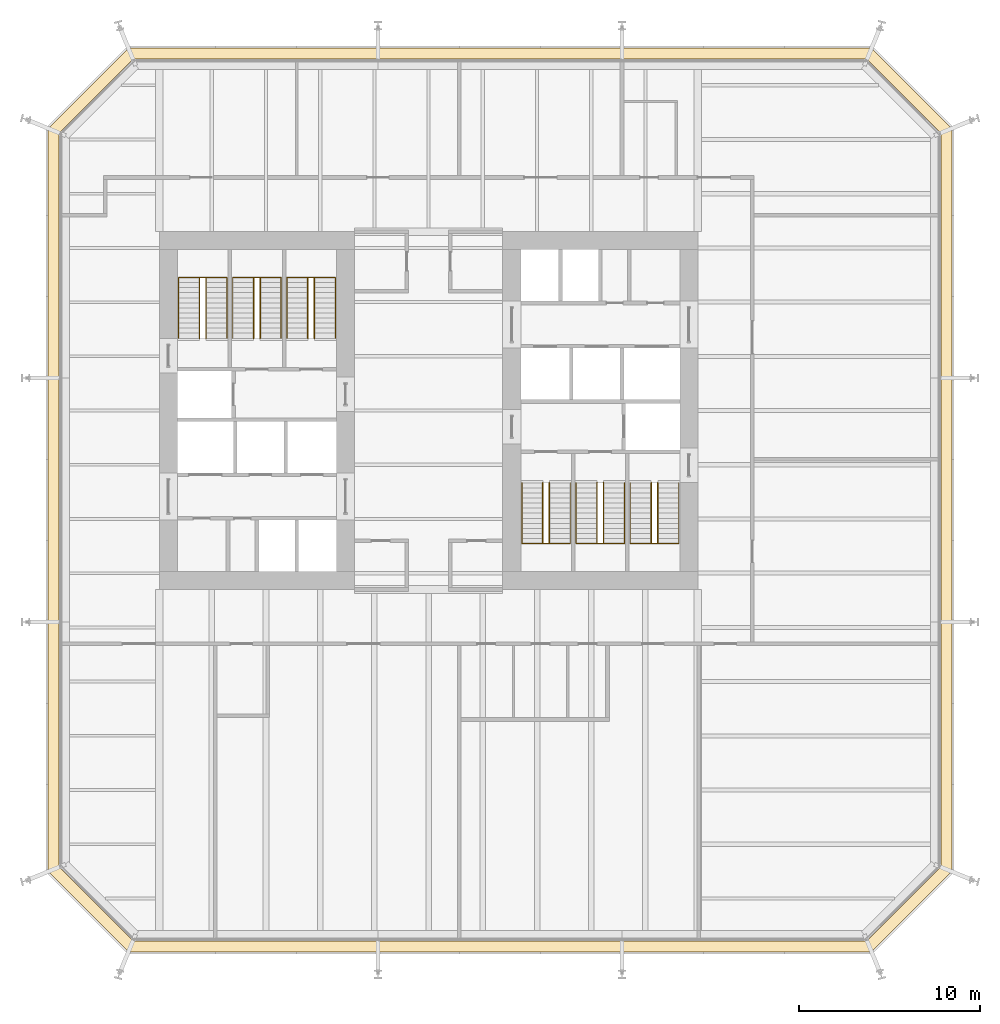
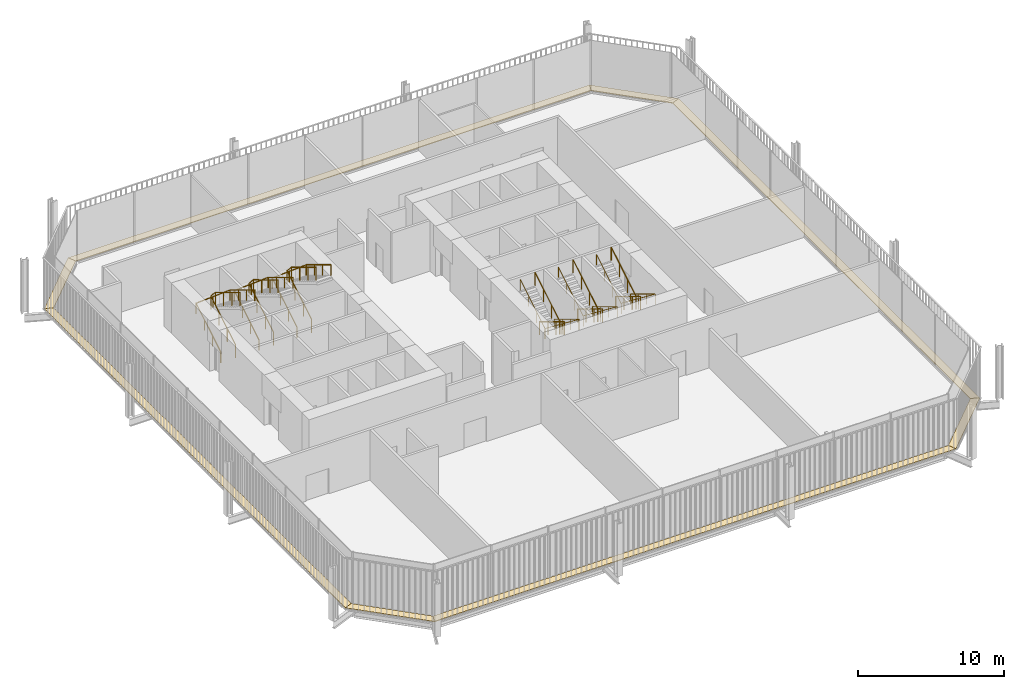
# One storey, part 20 of 20: 12 railings, 8 coverings.
"""IFC4 building model written with IfcOpenShell, lengths in metres."""

import ifcopenshell
import ifcopenshell.guid

model = None  # the IFC model being written
_history = None  # IfcOwnerHistory: only IFC2X3 demands one
_inside = {}  # id of a spatial element -> (the spatial element, [elements in it])
_under = {}  # id of a project, library or spatial element -> (it, [spatial elements below it])
_declared = {}  # id of a project -> (the project, [libraries it declares])
_typed = {}  # id of a type object -> (the type object, [elements of that type])
_made_of = {}  # id of a material, layer set ... -> (it, [elements and type objects made of it])


def new_model(schema):
    """Start an empty IFC model of exactly this schema.

    Asked for "IFC4X3", IfcOpenShell would pick the latest addendum, in which some entities
    have other attributes; the version numbers below select the first issue.
    IFC2X3 requires an IfcOwnerHistory on every rooted entity: one is made here for all.
    """
    global model, _history
    if schema == "IFC4X3":
        model = ifcopenshell.file(schema_version=(4, 3, 0, 0))
    else:
        model = ifcopenshell.file(schema=schema)
    _inside.clear()
    _under.clear()
    _declared.clear()
    _typed.clear()
    _made_of.clear()
    _history = None
    if model.schema == "IFC2X3":
        org = make("IfcOrganization", Name="unknown")
        user = make(
            "IfcPersonAndOrganization",
            ThePerson=make("IfcPerson", FamilyName="unknown"),
            TheOrganization=org,
        )
        app = make(
            "IfcApplication",
            ApplicationDeveloper=org,
            Version="unknown",
            ApplicationFullName="unknown",
            ApplicationIdentifier="unknown",
        )
        _history = make(
            "IfcOwnerHistory",
            OwningUser=user,
            OwningApplication=app,
            ChangeAction="ADDED",
            CreationDate=0,
        )
    return model


def make(cls, **values):
    """One entity of the class cls with the attributes given. An attribute that is None is left unset."""
    return model.create_entity(
        cls, **{name: value for name, value in values.items() if value is not None}
    )


def rooted(cls, **values):
    """An entity with a GlobalId (a new one), such as an element, a storey or a relation."""
    return make(cls, GlobalId=ifcopenshell.guid.new(), OwnerHistory=_history, **values)


def si_unit(unit_type, name, prefix=None):
    """IfcSIUnit, for example si_unit("LENGTHUNIT", "METRE", prefix="MILLI")."""
    return make("IfcSIUnit", UnitType=unit_type, Prefix=prefix, Name=name)


def assignment(units):
    """IfcUnitAssignment: the units of a project."""
    return None if units is None else make("IfcUnitAssignment", Units=units)


def point(xyz):
    """IfcCartesianPoint."""
    return None if xyz is None else make("IfcCartesianPoint", Coordinates=xyz)


def direction(xyz):
    """IfcDirection."""
    return None if xyz is None else make("IfcDirection", DirectionRatios=xyz)


def frame(location, z_axis=None, x_axis=None):
    """IfcAxis2Placement3D, a coordinate frame: its origin and axes. An axis left out is left unset."""
    return make(
        "IfcAxis2Placement3D",
        Location=point(location),
        Axis=direction(z_axis),
        RefDirection=direction(x_axis),
    )


def frame_2d(location, x_axis=None):
    """IfcAxis2Placement2D, a coordinate frame in the plane: its origin and x axis."""
    return make(
        "IfcAxis2Placement2D", Location=point(location), RefDirection=direction(x_axis)
    )


def origin():
    """The frame at (0, 0, 0) with its axes left unset."""
    return frame((0.0, 0.0, 0.0))


def origin_2d():
    """The frame at (0, 0) in the plane with its x axis left unset."""
    return frame_2d((0.0, 0.0))


def place(relative_to, where):
    """IfcLocalPlacement: puts the frame where relative to a parent placement (None: the world)."""
    return make(
        "IfcLocalPlacement", PlacementRelTo=relative_to, RelativePlacement=where
    )


def context(
    kind, dimensions, precision=None, world=None, true_north=None, identifier=None
):
    """IfcGeometricRepresentationContext, for example the 3D "Model" context."""
    return make(
        "IfcGeometricRepresentationContext",
        ContextIdentifier=identifier,
        ContextType=kind,
        CoordinateSpaceDimension=dimensions,
        Precision=precision,
        WorldCoordinateSystem=world,
        TrueNorth=true_north,
    )


def subcontext(parent, identifier, kind, view, scale=None):
    """IfcGeometricRepresentationSubContext, for example "Body" below "Model"."""
    return make(
        "IfcGeometricRepresentationSubContext",
        ContextIdentifier=identifier,
        ContextType=kind,
        ParentContext=parent,
        TargetScale=scale,
        TargetView=view,
    )


def project(units=None, contexts=None):
    """IfcProject with its units and contexts."""
    return rooted(
        "IfcProject",
        Name="project",
        RepresentationContexts=contexts,
        UnitsInContext=assignment(units),
    )


def spatial(cls, under=None, at=None, **own):
    """A site, building, storey or space (cls), placed at a placement, below another one or the project."""
    s = rooted(cls, ObjectPlacement=at, **own)
    if under is not None:
        _under.setdefault(under.id(), (under, []))[1].append(s)
    return s


def polyline(points):
    """IfcPolyline through the points."""
    return make("IfcPolyline", Points=[point(p) for p in points])


def profile(cls, at=None, kind="AREA", **sizes):
    """A parametric profile (cls). Its sizes go by their IFC names, for example OverallWidth=200.0."""
    return make(cls, ProfileType=kind, Position=at, **sizes)


def circle(**sizes):
    """IfcCircleProfileDef."""
    return profile("IfcCircleProfileDef", **sizes)


def outline(outer, holes=None, kind="AREA"):
    """IfcArbitraryClosedProfileDef: a profile drawn as a closed curve; with holes, ...WithVoids."""
    if holes is None:
        return make("IfcArbitraryClosedProfileDef", ProfileType=kind, OuterCurve=outer)
    return make(
        "IfcArbitraryProfileDefWithVoids",
        ProfileType=kind,
        OuterCurve=outer,
        InnerCurves=holes,
    )


def extrude(swept, where, along, depth):
    """IfcExtrudedAreaSolid: the profile swept, set in the frame where, extruded along a direction by depth."""
    return make(
        "IfcExtrudedAreaSolid",
        SweptArea=swept,
        Position=where,
        ExtrudedDirection=direction(along),
        Depth=depth,
    )


def shape(context_of_items, identifier, shape_type, items):
    """IfcShapeRepresentation: the items that make up one representation, for example the "Body"."""
    return make(
        "IfcShapeRepresentation",
        ContextOfItems=context_of_items,
        RepresentationIdentifier=identifier,
        RepresentationType=shape_type,
        Items=items,
    )


def material(Name=None, Category=None):
    """IfcMaterial."""
    return make("IfcMaterial", Name=Name, Category=Category)


def layer(
    of_material, thickness, ventilated=None, Name=None, Category=None, Priority=None
):
    """IfcMaterialLayer: one layer of a wall or slab, of a material (None: an air gap)."""
    return make(
        "IfcMaterialLayer",
        Material=of_material,
        LayerThickness=thickness,
        IsVentilated=ventilated,
        Name=Name,
        Category=Category,
        Priority=Priority,
    )


def layer_set(layers, Name=None):
    """IfcMaterialLayerSet."""
    return make("IfcMaterialLayerSet", MaterialLayers=layers, LayerSetName=Name)


def made_of(thing, what):
    """Note that an element or type object is made of a material, layer set ...; save() writes the relation."""
    if what is not None:
        _made_of.setdefault(what.id(), (what, []))[1].append(thing)
    return thing


def type_object(cls, material=None, **own):
    """A type object (cls), such as IfcWallType, which elements share."""
    return made_of(rooted(cls, **own), material)


def element(
    cls,
    number,
    at=None,
    inside=None,
    cuts=None,
    type_object=None,
    material=None,
    context=None,
    identifier="Body",
    shape_type=None,
    held_by="IfcProductDefinitionShape",
    body=None,
    shapes=None,
    **own,
):
    """One element of the class cls, such as IfcWall. Its Tag is "e" and its number.

    at: its placement. inside: the storey or other place that contains it. cuts: it is an
    opening in that element (IfcRelVoidsElement). A single representation is given by context,
    identifier, shape_type and body (its items); several are given by shapes. held_by: the class
    of the entity that holds the representations. save() writes the other relations.
    """
    e = rooted(cls, Tag="e%d" % number, ObjectPlacement=at, **own)
    if body is not None:
        shapes = [shape(context, identifier, shape_type, body)]
    if shapes is not None:
        e.Representation = make(held_by, Representations=shapes)
    if inside is not None:
        _inside.setdefault(inside.id(), (inside, []))[1].append(e)
    if cuts is not None:
        rooted(
            "IfcRelVoidsElement", RelatingBuildingElement=cuts, RelatedOpeningElement=e
        )
    if type_object is not None:
        _typed.setdefault(type_object.id(), (type_object, []))[1].append(e)
    return made_of(e, material)


def aggregate(whole, parts):
    """IfcRelAggregates: a whole, such as a stair, and the parts it consists of."""
    return rooted("IfcRelAggregates", RelatingObject=whole, RelatedObjects=parts)


def save(model, path):
    """Write the relations noted so far, then the file.

    IfcRelAggregates (storeys below a building ...), IfcRelContainedInSpatialStructure (elements
    in a storey), IfcRelDefinesByType, IfcRelAssociatesMaterial and IfcRelDeclares: one each for
    every whole, place, type object, material and project.
    """
    for whole, parts in _under.values():
        aggregate(whole, parts)
    for where, things in _inside.values():
        rooted(
            "IfcRelContainedInSpatialStructure",
            RelatedElements=things,
            RelatingStructure=where,
        )
    for kind, things in _typed.values():
        rooted("IfcRelDefinesByType", RelatedObjects=things, RelatingType=kind)
    for what, things in _made_of.values():
        rooted("IfcRelAssociatesMaterial", RelatedObjects=things, RelatingMaterial=what)
    for by, libraries in _declared.values():
        rooted("IfcRelDeclares", RelatingContext=by, RelatedDefinitions=libraries)
    model.write(path)


model = new_model("IFC4")

# Units and contexts
model_context = context("Model", 3, precision=1e-05, world=origin(), true_north=direction((0.0, 1.0)))
body_context = subcontext(model_context, "Body", "Model", "MODEL_VIEW")
ifc_project = project(units=[si_unit("LENGTHUNIT", "METRE"), si_unit("AREAUNIT", "SQUARE_METRE"), si_unit("VOLUMEUNIT", "CUBIC_METRE"), si_unit("PLANEANGLEUNIT", "RADIAN"), si_unit("MASSUNIT", "GRAM", prefix="KILO")], contexts=[model_context])

# Site, building, storey
site_placement = place(None, origin())
site = spatial("IfcSite", under=ifc_project, at=site_placement, CompositionType="ELEMENT")
building_placement = place(site_placement, origin())
building = spatial("IfcBuilding", under=site, at=building_placement, Name="Millrace Tower", CompositionType="ELEMENT")
storey_placement = place(building_placement, frame((0.0, 0.0, 77.60009765625)))
storey = spatial("IfcBuildingStorey", under=building, at=storey_placement, Name="L17", CompositionType="ELEMENT", Elevation=77.60009765625)

# Coverings
ifc_material_1 = material(Name="Steel ASTM A36", Category="steel")
ifc_layer = layer(ifc_material_1, 0.050048828125)
ifc_layer_set = layer_set([ifc_layer], Name="Steel ASTM A36")
covering_type = type_object("IfcCoveringType", Name="CAVITY CATWALK steel grating", PredefinedType="FLOORING", material=ifc_layer_set)
placement = place(storey_placement, frame((0.0, 0.0, 0.099853515625)))
element("IfcCovering", 1, at=placement, inside=storey, type_object=covering_type, Name="Cavity catwalk grating B-F01 L17 1", PredefinedType="FLOORING", context=body_context, shape_type="SweptSolid", body=[
    extrude(outline(polyline([(-21.050048828125, -25.5107421875), (-16.610595703125, -29.949951171875), (-16.362060546875, -29.35009765625), (-20.449951171875, -25.26220703125), (-21.050048828125, -25.5107421875)])), origin(), (0.0, 0.0, 1.0), 0.050048828125),
])
element("IfcCovering", 2, at=placement, inside=storey, type_object=covering_type, Name="Cavity catwalk grating B-F02 L17 1", PredefinedType="FLOORING", context=body_context, shape_type="SweptSolid", body=[
    extrude(outline(polyline([(-16.610595703125, -29.949951171875), (24.5107421875, -29.949951171875), (24.26220703125, -29.35009765625), (-16.362060546875, -29.35009765625), (-16.610595703125, -29.949951171875)])), origin(), (0.0, 0.0, 1.0), 0.050048828125),
])
element("IfcCovering", 3, at=placement, inside=storey, type_object=covering_type, Name="Cavity catwalk grating B-F03 L17 1", PredefinedType="FLOORING", context=body_context, shape_type="SweptSolid", body=[
    extrude(outline(polyline([(24.5107421875, -29.949951171875), (28.949951171875, -25.5107421875), (28.35009765625, -25.26220703125), (24.26220703125, -29.35009765625), (24.5107421875, -29.949951171875)])), origin(), (0.0, 0.0, 1.0), 0.050048828125),
])
element("IfcCovering", 4, at=placement, inside=storey, type_object=covering_type, Name="Cavity catwalk grating B-F04 L17 1", PredefinedType="FLOORING", context=body_context, shape_type="SweptSolid", body=[
    extrude(outline(polyline([(28.949951171875, -25.5107421875), (28.949951171875, 15.610595703125), (28.35009765625, 15.362060546875), (28.35009765625, -25.26220703125), (28.949951171875, -25.5107421875)])), origin(), (0.0, 0.0, 1.0), 0.050048828125),
])
element("IfcCovering", 5, at=placement, inside=storey, type_object=covering_type, Name="Cavity catwalk grating B-F05 L17 1", PredefinedType="FLOORING", context=body_context, shape_type="SweptSolid", body=[
    extrude(outline(polyline([(28.949951171875, 15.610595703125), (24.5107421875, 20.050048828125), (24.26220703125, 19.449951171875), (28.35009765625, 15.362060546875), (28.949951171875, 15.610595703125)])), origin(), (0.0, 0.0, 1.0), 0.050048828125),
])
element("IfcCovering", 6, at=placement, inside=storey, type_object=covering_type, Name="Cavity catwalk grating B-F06 L17 1", PredefinedType="FLOORING", context=body_context, shape_type="SweptSolid", body=[
    extrude(outline(polyline([(24.5107421875, 20.050048828125), (-16.610595703125, 20.050048828125), (-16.362060546875, 19.449951171875), (24.26220703125, 19.449951171875), (24.5107421875, 20.050048828125)])), origin(), (0.0, 0.0, 1.0), 0.050048828125),
])
element("IfcCovering", 7, at=placement, inside=storey, type_object=covering_type, Name="Cavity catwalk grating B-F07 L17 1", PredefinedType="FLOORING", context=body_context, shape_type="SweptSolid", body=[
    extrude(outline(polyline([(-16.610595703125, 20.050048828125), (-21.050048828125, 15.610595703125), (-20.449951171875, 15.362060546875), (-16.362060546875, 19.449951171875), (-16.610595703125, 20.050048828125)])), origin(), (0.0, 0.0, 1.0), 0.050048828125),
])
element("IfcCovering", 8, at=placement, inside=storey, type_object=covering_type, Name="Cavity catwalk grating B-F08 L17 1", PredefinedType="FLOORING", context=body_context, shape_type="SweptSolid", body=[
    extrude(outline(polyline([(-21.050048828125, 15.610595703125), (-21.050048828125, -25.5107421875), (-20.449951171875, -25.26220703125), (-20.449951171875, 15.362060546875), (-21.050048828125, 15.610595703125)])), origin(), (0.0, 0.0, 1.0), 0.050048828125),
])

# Railings
ifc_material_2 = material(Name="Stainless steel ASTM A240 type 316", Category="steel")
railing_type_1 = type_object("IfcRailingType", Name="Stair guard 1100", PredefinedType="GUARDRAIL", material=ifc_material_2)
for number, where, name in (
    (9, (-12.679931640625, 4.0, 0.169189453125), "Stair guard 1 W L17"),
    (10, (-9.679931640625, 4.0, 0.169189453125), "Stair guard 2 W L17"),
    (11, (-6.679931640625, 4.0, 0.169189453125), "Stair guard 3 W L17"),
):
    element("IfcRailing", number, at=place(storey_placement, frame(where)), inside=storey, type_object=railing_type_1, Name=name, PredefinedType="GUARDRAIL", context=body_context, shape_type="SweptSolid", body=[
        extrude(circle(Radius=0.02392578125, at=origin_2d()), frame((0.0, 0.0, 1.076171875), z_axis=(0.0, 0.855836976705, 0.517245656632), x_axis=(-1.0, 0.0, 0.0)), (0.0, 0.0, 1.0), 3.926025390625),
        extrude(circle(Radius=0.02392578125, at=origin_2d()), frame((0.0, 3.360107421875, 3.10693359375), z_axis=(0.904971698027, 0.0, 0.425471768475), x_axis=(0.0, 1.0, 0.0)), (0.0, 0.0, 1.0), 0.397705078125),
        extrude(circle(Radius=0.02392578125, at=origin_2d()), frame((0.35986328125, 3.360107421875, 3.27587890625), z_axis=(0.0, -0.855836976705, 0.517245656632), x_axis=(1.0, 0.0, 0.0)), (0.0, 0.0, 1.0), 3.926025390625),
        extrude(circle(Radius=0.02099609375, at=origin_2d()), origin(), (0.0, 0.0, 1.0), 1.052001953125),
        extrude(circle(Radius=0.02099609375, at=origin_2d()), frame((0.0, 1.1201171875, 0.677001953125)), (0.0, 0.0, 1.0), 1.052001953125),
        extrude(circle(Radius=0.02099609375, at=origin_2d()), frame((0.0, 2.239990234375, 1.353759765625)), (0.0, 0.0, 1.0), 1.052001953125),
        extrude(circle(Radius=0.02099609375, at=origin_2d()), frame((0.0, 3.360107421875, 2.03076171875)), (0.0, 0.0, 1.0), 1.052001953125),
        extrude(circle(Radius=0.02099609375, at=origin_2d()), frame((0.35986328125, 3.360107421875, 2.199951171875)), (0.0, 0.0, 1.0), 1.052001953125),
        extrude(circle(Radius=0.02099609375, at=origin_2d()), frame((0.35986328125, 2.239990234375, 2.876953125)), (0.0, 0.0, 1.0), 1.052001953125),
        extrude(circle(Radius=0.02099609375, at=origin_2d()), frame((0.35986328125, 1.1201171875, 3.5537109375)), (0.0, 0.0, 1.0), 1.052001953125),
        extrude(circle(Radius=0.02099609375, at=origin_2d()), frame((0.35986328125, 0.0, 4.230712890625)), (0.0, 0.0, 1.0), 1.052001953125),
    ])
for number, where, name in (
    (12, (12.679931640625, -4.0, 0.169189453125), "Stair guard 1 E L17"),
    (13, (9.679931640625, -4.0, 0.169189453125), "Stair guard 2 E L17"),
    (14, (6.679931640625, -4.0, 0.169189453125), "Stair guard 3 E L17"),
):
    element("IfcRailing", number, at=place(storey_placement, frame(where)), inside=storey, type_object=railing_type_1, Name=name, PredefinedType="GUARDRAIL", context=body_context, shape_type="SweptSolid", body=[
        extrude(circle(Radius=0.02392578125, at=origin_2d()), frame((0.0, 0.0, 1.076171875), z_axis=(0.0, -0.855836976705, 0.517245656632), x_axis=(1.0, 0.0, 0.0)), (0.0, 0.0, 1.0), 3.926025390625),
        extrude(circle(Radius=0.02392578125, at=origin_2d()), frame((0.0, -3.360107421875, 3.10693359375), z_axis=(-0.904971698027, 0.0, 0.425471768475), x_axis=(0.0, -1.0, 0.0)), (0.0, 0.0, 1.0), 0.397705078125),
        extrude(circle(Radius=0.02392578125, at=origin_2d()), frame((-0.35986328125, -3.360107421875, 3.27587890625), z_axis=(0.0, 0.855836976705, 0.517245656632), x_axis=(-1.0, 0.0, 0.0)), (0.0, 0.0, 1.0), 3.926025390625),
        extrude(circle(Radius=0.02099609375, at=origin_2d()), origin(), (0.0, 0.0, 1.0), 1.052001953125),
        extrude(circle(Radius=0.02099609375, at=origin_2d()), frame((0.0, -1.1201171875, 0.677001953125)), (0.0, 0.0, 1.0), 1.052001953125),
        extrude(circle(Radius=0.02099609375, at=origin_2d()), frame((0.0, -2.239990234375, 1.353759765625)), (0.0, 0.0, 1.0), 1.052001953125),
        extrude(circle(Radius=0.02099609375, at=origin_2d()), frame((0.0, -3.360107421875, 2.03076171875)), (0.0, 0.0, 1.0), 1.052001953125),
        extrude(circle(Radius=0.02099609375, at=origin_2d()), frame((-0.35986328125, -3.360107421875, 2.199951171875)), (0.0, 0.0, 1.0), 1.052001953125),
        extrude(circle(Radius=0.02099609375, at=origin_2d()), frame((-0.35986328125, -2.239990234375, 2.876953125)), (0.0, 0.0, 1.0), 1.052001953125),
        extrude(circle(Radius=0.02099609375, at=origin_2d()), frame((-0.35986328125, -1.1201171875, 3.5537109375)), (0.0, 0.0, 1.0), 1.052001953125),
        extrude(circle(Radius=0.02099609375, at=origin_2d()), frame((-0.35986328125, 0.0, 4.230712890625)), (0.0, 0.0, 1.0), 1.052001953125),
    ])
ifc_material_3 = material(Name="Stainless steel ASTM A240 type 316", Category="steel")
railing_type_2 = type_object("IfcRailingType", Name="Stair handrail 900", PredefinedType="HANDRAIL", material=ifc_material_3)
railing_1_placement = place(storey_placement, frame((-13.840087890625, 4.0, 0.169189453125)))
element("IfcRailing", 15, at=railing_1_placement, inside=storey, type_object=railing_type_2, Name="Stair handrail 1 W L17", PredefinedType="HANDRAIL", context=body_context, shape_type="SweptSolid", body=[
    extrude(circle(Radius=0.02392578125, at=origin_2d()), frame((0.0, 0.0, 0.8759765625), z_axis=(0.0, 0.855836976705, 0.517245656632), x_axis=(-1.0, 0.0, 0.0)), (0.0, 0.0, 1.0), 3.926025390625),
    extrude(circle(Radius=0.02392578125, at=origin_2d()), frame((0.0, 3.360107421875, 2.90673828125), z_axis=(0.998013473273, 0.0, 0.063000850517), x_axis=(0.0, 1.0, 0.0)), (0.0, 0.0, 1.0), 2.685546875),
    extrude(circle(Radius=0.02392578125, at=origin_2d()), frame((2.68017578125, 3.360107421875, 3.07568359375), z_axis=(0.0, -0.855836976705, 0.517245656632), x_axis=(1.0, 0.0, 0.0)), (0.0, 0.0, 1.0), 3.926025390625),
    extrude(circle(Radius=0.02099609375, at=origin_2d()), origin(), (0.0, 0.0, 1.0), 0.851806640625),
    extrude(circle(Radius=0.02099609375, at=origin_2d()), frame((0.0, 1.1201171875, 0.677001953125)), (0.0, 0.0, 1.0), 0.851806640625),
    extrude(circle(Radius=0.02099609375, at=origin_2d()), frame((0.0, 2.239990234375, 1.353759765625)), (0.0, 0.0, 1.0), 0.851806640625),
    extrude(circle(Radius=0.02099609375, at=origin_2d()), frame((0.0, 3.360107421875, 2.03076171875)), (0.0, 0.0, 1.0), 0.851806640625),
    extrude(circle(Radius=0.02099609375, at=origin_2d()), frame((1.340087890625, 3.360107421875, 2.115234375)), (0.0, 0.0, 1.0), 0.851806640625),
    extrude(circle(Radius=0.02099609375, at=origin_2d()), frame((2.68017578125, 3.360107421875, 2.199951171875)), (0.0, 0.0, 1.0), 0.851806640625),
    extrude(circle(Radius=0.02099609375, at=origin_2d()), frame((2.68017578125, 2.239990234375, 2.876953125)), (0.0, 0.0, 1.0), 0.851806640625),
    extrude(circle(Radius=0.02099609375, at=origin_2d()), frame((2.68017578125, 1.1201171875, 3.5537109375)), (0.0, 0.0, 1.0), 0.851806640625),
    extrude(circle(Radius=0.02099609375, at=origin_2d()), frame((2.68017578125, 0.0, 4.230712890625)), (0.0, 0.0, 1.0), 0.851806640625),
])
railing_2_placement = place(storey_placement, frame((-10.840087890625, 4.0, 0.169189453125)))
element("IfcRailing", 16, at=railing_2_placement, inside=storey, type_object=railing_type_2, Name="Stair handrail 2 W L17", PredefinedType="HANDRAIL", context=body_context, shape_type="SweptSolid", body=[
    extrude(circle(Radius=0.02392578125, at=origin_2d()), frame((0.0, 0.0, 0.8759765625), z_axis=(0.0, 0.855836976705, 0.517245656632), x_axis=(-1.0, 0.0, 0.0)), (0.0, 0.0, 1.0), 3.926025390625),
    extrude(circle(Radius=0.02392578125, at=origin_2d()), frame((0.0, 3.360107421875, 2.90673828125), z_axis=(0.998013473273, 0.0, 0.063000850517), x_axis=(0.0, 1.0, 0.0)), (0.0, 0.0, 1.0), 2.685546875),
    extrude(circle(Radius=0.02392578125, at=origin_2d()), frame((2.68017578125, 3.360107421875, 3.07568359375), z_axis=(0.0, -0.855836976705, 0.517245656632), x_axis=(1.0, 0.0, 0.0)), (0.0, 0.0, 1.0), 3.926025390625),
    extrude(circle(Radius=0.02099609375, at=origin_2d()), origin(), (0.0, 0.0, 1.0), 0.851806640625),
    extrude(circle(Radius=0.02099609375, at=origin_2d()), frame((0.0, 1.1201171875, 0.677001953125)), (0.0, 0.0, 1.0), 0.851806640625),
    extrude(circle(Radius=0.02099609375, at=origin_2d()), frame((0.0, 2.239990234375, 1.353759765625)), (0.0, 0.0, 1.0), 0.851806640625),
    extrude(circle(Radius=0.02099609375, at=origin_2d()), frame((0.0, 3.360107421875, 2.03076171875)), (0.0, 0.0, 1.0), 0.851806640625),
    extrude(circle(Radius=0.02099609375, at=origin_2d()), frame((1.340087890625, 3.360107421875, 2.115234375)), (0.0, 0.0, 1.0), 0.851806640625),
    extrude(circle(Radius=0.02099609375, at=origin_2d()), frame((2.68017578125, 3.360107421875, 2.199951171875)), (0.0, 0.0, 1.0), 0.851806640625),
    extrude(circle(Radius=0.02099609375, at=origin_2d()), frame((2.68017578125, 2.239990234375, 2.876953125)), (0.0, 0.0, 1.0), 0.851806640625),
    extrude(circle(Radius=0.02099609375, at=origin_2d()), frame((2.68017578125, 1.1201171875, 3.5537109375)), (0.0, 0.0, 1.0), 0.851806640625),
    extrude(circle(Radius=0.02099609375, at=origin_2d()), frame((2.68017578125, 0.0, 4.230712890625)), (0.0, 0.0, 1.0), 0.851806640625),
])
railing_3_placement = place(storey_placement, frame((-7.840087890625, 4.0, 0.169189453125)))
element("IfcRailing", 17, at=railing_3_placement, inside=storey, type_object=railing_type_2, Name="Stair handrail 3 W L17", PredefinedType="HANDRAIL", context=body_context, shape_type="SweptSolid", body=[
    extrude(circle(Radius=0.02392578125, at=origin_2d()), frame((0.0, 0.0, 0.8759765625), z_axis=(0.0, 0.855836976705, 0.517245656632), x_axis=(-1.0, 0.0, 0.0)), (0.0, 0.0, 1.0), 3.926025390625),
    extrude(circle(Radius=0.02392578125, at=origin_2d()), frame((0.0, 3.360107421875, 2.90673828125), z_axis=(0.998013473273, 0.0, 0.063000850517), x_axis=(0.0, 1.0, 0.0)), (0.0, 0.0, 1.0), 2.685546875),
    extrude(circle(Radius=0.02392578125, at=origin_2d()), frame((2.68017578125, 3.360107421875, 3.07568359375), z_axis=(0.0, -0.855836976705, 0.517245656632), x_axis=(1.0, 0.0, 0.0)), (0.0, 0.0, 1.0), 3.926025390625),
    extrude(circle(Radius=0.02099609375, at=origin_2d()), origin(), (0.0, 0.0, 1.0), 0.851806640625),
    extrude(circle(Radius=0.02099609375, at=origin_2d()), frame((0.0, 1.1201171875, 0.677001953125)), (0.0, 0.0, 1.0), 0.851806640625),
    extrude(circle(Radius=0.02099609375, at=origin_2d()), frame((0.0, 2.239990234375, 1.353759765625)), (0.0, 0.0, 1.0), 0.851806640625),
    extrude(circle(Radius=0.02099609375, at=origin_2d()), frame((0.0, 3.360107421875, 2.03076171875)), (0.0, 0.0, 1.0), 0.851806640625),
    extrude(circle(Radius=0.02099609375, at=origin_2d()), frame((1.340087890625, 3.360107421875, 2.115234375)), (0.0, 0.0, 1.0), 0.851806640625),
    extrude(circle(Radius=0.02099609375, at=origin_2d()), frame((2.68017578125, 3.360107421875, 2.199951171875)), (0.0, 0.0, 1.0), 0.851806640625),
    extrude(circle(Radius=0.02099609375, at=origin_2d()), frame((2.68017578125, 2.239990234375, 2.876953125)), (0.0, 0.0, 1.0), 0.851806640625),
    extrude(circle(Radius=0.02099609375, at=origin_2d()), frame((2.68017578125, 1.1201171875, 3.5537109375)), (0.0, 0.0, 1.0), 0.851806640625),
    extrude(circle(Radius=0.02099609375, at=origin_2d()), frame((2.68017578125, 0.0, 4.230712890625)), (0.0, 0.0, 1.0), 0.851806640625),
])
railing_4_placement = place(storey_placement, frame((13.840087890625, -4.0, 0.169189453125)))
element("IfcRailing", 18, at=railing_4_placement, inside=storey, type_object=railing_type_2, Name="Stair handrail 1 E L17", PredefinedType="HANDRAIL", context=body_context, shape_type="SweptSolid", body=[
    extrude(circle(Radius=0.02392578125, at=origin_2d()), frame((0.0, 0.0, 0.8759765625), z_axis=(0.0, -0.855836976705, 0.517245656632), x_axis=(1.0, 0.0, 0.0)), (0.0, 0.0, 1.0), 3.926025390625),
    extrude(circle(Radius=0.02392578125, at=origin_2d()), frame((0.0, -3.360107421875, 2.90673828125), z_axis=(-0.998013473273, 0.0, 0.063000850517), x_axis=(0.0, -1.0, 0.0)), (0.0, 0.0, 1.0), 2.685546875),
    extrude(circle(Radius=0.02392578125, at=origin_2d()), frame((-2.68017578125, -3.360107421875, 3.07568359375), z_axis=(0.0, 0.855836976705, 0.517245656632), x_axis=(-1.0, 0.0, 0.0)), (0.0, 0.0, 1.0), 3.926025390625),
    extrude(circle(Radius=0.02099609375, at=origin_2d()), origin(), (0.0, 0.0, 1.0), 0.851806640625),
    extrude(circle(Radius=0.02099609375, at=origin_2d()), frame((0.0, -1.1201171875, 0.677001953125)), (0.0, 0.0, 1.0), 0.851806640625),
    extrude(circle(Radius=0.02099609375, at=origin_2d()), frame((0.0, -2.239990234375, 1.353759765625)), (0.0, 0.0, 1.0), 0.851806640625),
    extrude(circle(Radius=0.02099609375, at=origin_2d()), frame((0.0, -3.360107421875, 2.03076171875)), (0.0, 0.0, 1.0), 0.851806640625),
    extrude(circle(Radius=0.02099609375, at=origin_2d()), frame((-1.340087890625, -3.360107421875, 2.115234375)), (0.0, 0.0, 1.0), 0.851806640625),
    extrude(circle(Radius=0.02099609375, at=origin_2d()), frame((-2.68017578125, -3.360107421875, 2.199951171875)), (0.0, 0.0, 1.0), 0.851806640625),
    extrude(circle(Radius=0.02099609375, at=origin_2d()), frame((-2.68017578125, -2.239990234375, 2.876953125)), (0.0, 0.0, 1.0), 0.851806640625),
    extrude(circle(Radius=0.02099609375, at=origin_2d()), frame((-2.68017578125, -1.1201171875, 3.5537109375)), (0.0, 0.0, 1.0), 0.851806640625),
    extrude(circle(Radius=0.02099609375, at=origin_2d()), frame((-2.68017578125, 0.0, 4.230712890625)), (0.0, 0.0, 1.0), 0.851806640625),
])
railing_5_placement = place(storey_placement, frame((10.840087890625, -4.0, 0.169189453125)))
element("IfcRailing", 19, at=railing_5_placement, inside=storey, type_object=railing_type_2, Name="Stair handrail 2 E L17", PredefinedType="HANDRAIL", context=body_context, shape_type="SweptSolid", body=[
    extrude(circle(Radius=0.02392578125, at=origin_2d()), frame((0.0, 0.0, 0.8759765625), z_axis=(0.0, -0.855836976705, 0.517245656632), x_axis=(1.0, 0.0, 0.0)), (0.0, 0.0, 1.0), 3.926025390625),
    extrude(circle(Radius=0.02392578125, at=origin_2d()), frame((0.0, -3.360107421875, 2.90673828125), z_axis=(-0.998013473273, 0.0, 0.063000850517), x_axis=(0.0, -1.0, 0.0)), (0.0, 0.0, 1.0), 2.685546875),
    extrude(circle(Radius=0.02392578125, at=origin_2d()), frame((-2.68017578125, -3.360107421875, 3.07568359375), z_axis=(0.0, 0.855836976705, 0.517245656632), x_axis=(-1.0, 0.0, 0.0)), (0.0, 0.0, 1.0), 3.926025390625),
    extrude(circle(Radius=0.02099609375, at=origin_2d()), origin(), (0.0, 0.0, 1.0), 0.851806640625),
    extrude(circle(Radius=0.02099609375, at=origin_2d()), frame((0.0, -1.1201171875, 0.677001953125)), (0.0, 0.0, 1.0), 0.851806640625),
    extrude(circle(Radius=0.02099609375, at=origin_2d()), frame((0.0, -2.239990234375, 1.353759765625)), (0.0, 0.0, 1.0), 0.851806640625),
    extrude(circle(Radius=0.02099609375, at=origin_2d()), frame((0.0, -3.360107421875, 2.03076171875)), (0.0, 0.0, 1.0), 0.851806640625),
    extrude(circle(Radius=0.02099609375, at=origin_2d()), frame((-1.340087890625, -3.360107421875, 2.115234375)), (0.0, 0.0, 1.0), 0.851806640625),
    extrude(circle(Radius=0.02099609375, at=origin_2d()), frame((-2.68017578125, -3.360107421875, 2.199951171875)), (0.0, 0.0, 1.0), 0.851806640625),
    extrude(circle(Radius=0.02099609375, at=origin_2d()), frame((-2.68017578125, -2.239990234375, 2.876953125)), (0.0, 0.0, 1.0), 0.851806640625),
    extrude(circle(Radius=0.02099609375, at=origin_2d()), frame((-2.68017578125, -1.1201171875, 3.5537109375)), (0.0, 0.0, 1.0), 0.851806640625),
    extrude(circle(Radius=0.02099609375, at=origin_2d()), frame((-2.68017578125, 0.0, 4.230712890625)), (0.0, 0.0, 1.0), 0.851806640625),
])
railing_6_placement = place(storey_placement, frame((7.840087890625, -4.0, 0.169189453125)))
element("IfcRailing", 20, at=railing_6_placement, inside=storey, type_object=railing_type_2, Name="Stair handrail 3 E L17", PredefinedType="HANDRAIL", context=body_context, shape_type="SweptSolid", body=[
    extrude(circle(Radius=0.02392578125, at=origin_2d()), frame((0.0, 0.0, 0.8759765625), z_axis=(0.0, -0.855836976705, 0.517245656632), x_axis=(1.0, 0.0, 0.0)), (0.0, 0.0, 1.0), 3.926025390625),
    extrude(circle(Radius=0.02392578125, at=origin_2d()), frame((0.0, -3.360107421875, 2.90673828125), z_axis=(-0.998013473273, 0.0, 0.063000850517), x_axis=(0.0, -1.0, 0.0)), (0.0, 0.0, 1.0), 2.685546875),
    extrude(circle(Radius=0.02392578125, at=origin_2d()), frame((-2.68017578125, -3.360107421875, 3.07568359375), z_axis=(0.0, 0.855836976705, 0.517245656632), x_axis=(-1.0, 0.0, 0.0)), (0.0, 0.0, 1.0), 3.926025390625),
    extrude(circle(Radius=0.02099609375, at=origin_2d()), origin(), (0.0, 0.0, 1.0), 0.851806640625),
    extrude(circle(Radius=0.02099609375, at=origin_2d()), frame((0.0, -1.1201171875, 0.677001953125)), (0.0, 0.0, 1.0), 0.851806640625),
    extrude(circle(Radius=0.02099609375, at=origin_2d()), frame((0.0, -2.239990234375, 1.353759765625)), (0.0, 0.0, 1.0), 0.851806640625),
    extrude(circle(Radius=0.02099609375, at=origin_2d()), frame((0.0, -3.360107421875, 2.03076171875)), (0.0, 0.0, 1.0), 0.851806640625),
    extrude(circle(Radius=0.02099609375, at=origin_2d()), frame((-1.340087890625, -3.360107421875, 2.115234375)), (0.0, 0.0, 1.0), 0.851806640625),
    extrude(circle(Radius=0.02099609375, at=origin_2d()), frame((-2.68017578125, -3.360107421875, 2.199951171875)), (0.0, 0.0, 1.0), 0.851806640625),
    extrude(circle(Radius=0.02099609375, at=origin_2d()), frame((-2.68017578125, -2.239990234375, 2.876953125)), (0.0, 0.0, 1.0), 0.851806640625),
    extrude(circle(Radius=0.02099609375, at=origin_2d()), frame((-2.68017578125, -1.1201171875, 3.5537109375)), (0.0, 0.0, 1.0), 0.851806640625),
    extrude(circle(Radius=0.02099609375, at=origin_2d()), frame((-2.68017578125, 0.0, 4.230712890625)), (0.0, 0.0, 1.0), 0.851806640625),
])

save(model, "model.ifc")
